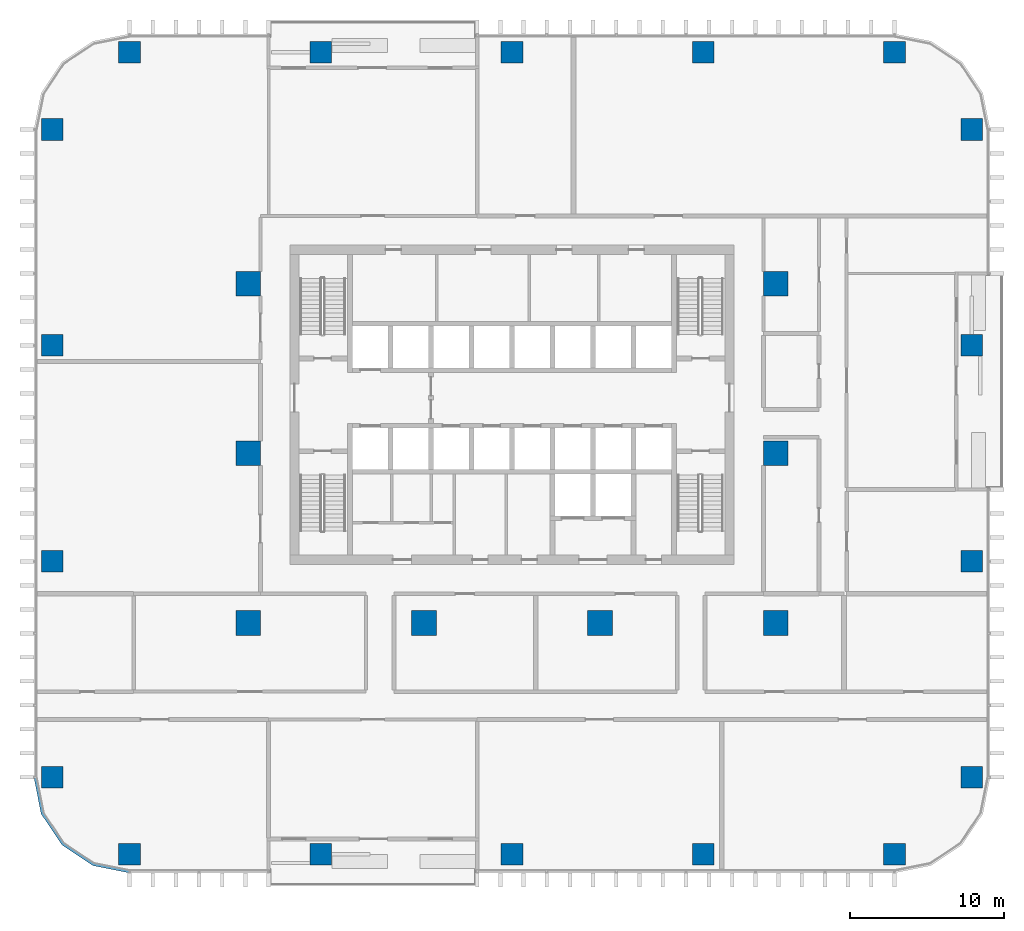
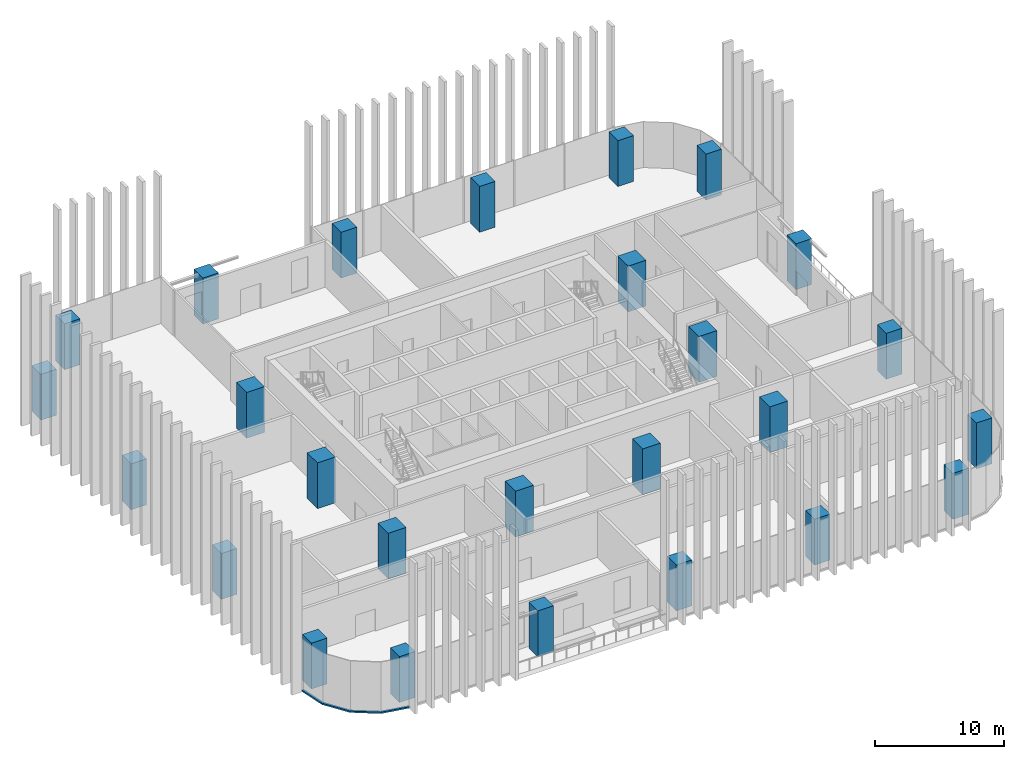
# One storey, part 1 of 17: 26 columns, 1 member, 1 element without a shape of its own.
"""IFC4 building model written with IfcOpenShell, lengths in metres."""

from ifc_helpers import new_model, si_unit, direction, frame, origin, origin_2d, place, context, subcontext, project, spatial, polyline, rectangle, outline, extrude, material, material_profile, profile_set, type_object, element, aggregate, save


model = new_model("IFC4")

# Units and contexts
model_context = context("Model", 3, precision=1e-05, world=origin(), true_north=direction((0.0, 1.0)))
body_context = subcontext(model_context, "Body", "Model", "MODEL_VIEW")
ifc_project = project(units=[si_unit("LENGTHUNIT", "METRE"), si_unit("AREAUNIT", "SQUARE_METRE"), si_unit("VOLUMEUNIT", "CUBIC_METRE"), si_unit("PLANEANGLEUNIT", "RADIAN"), si_unit("MASSUNIT", "GRAM", prefix="KILO")], contexts=[model_context])

# Site, building, storey
site_placement = place(None, origin())
site = spatial("IfcSite", under=ifc_project, at=site_placement, CompositionType="ELEMENT")
building_placement = place(site_placement, origin())
building = spatial("IfcBuilding", under=site, at=building_placement, Name="Mopane Tessera Tower", CompositionType="ELEMENT")
storey_placement = place(building_placement, frame((0.0, 0.0, 74.199951171875)))
storey = spatial("IfcBuildingStorey", under=building, at=storey_placement, Name="L14", CompositionType="ELEMENT", Elevation=74.199951171875)

# Columns
ifc_material_1 = material(Name="Concrete C60/75", Category="concrete")
ifc_material_profile_1 = material_profile(ifc_material_1, rectangle(XDim=1.60009765625, YDim=1.60009765625, at=origin_2d()))
ifc_profile_set_1 = profile_set([ifc_material_profile_1], Name="Concrete C60/75")
column_type_1 = type_object("IfcColumnType", Name="Interior column 1600 x 1600 C60/75", PredefinedType="COLUMN", material=ifc_profile_set_1)
for number, where, z_axis, x_axis, name in (
    (1, (-17.10009765625, -11.0, 0.0), (0.0, 0.0, 1.0), (1.0, 0.0, 0.0), "Interior column I1A L14"),
    (2, (-17.10009765625, 0.0, 0.0), (0.0, 0.0, 1.0), (1.0, 0.0, 0.0), "Interior column I1B L14"),
    (3, (-17.10009765625, 11.0, 0.0), (0.0, 0.0, 1.0), (1.0, 0.0, 0.0), "Interior column I1C L14"),
    (4, (-5.699951171875, -11.0, 0.0), (0.0, 0.0, 1.0), (1.0, 0.0, 0.0), "Interior column I2A L14"),
    (5, (5.699951171875, -11.0, 0.0), (0.0, 0.0, 1.0), (1.0, 0.0, 0.0), "Interior column I3A L14"),
    (6, (17.10009765625, -11.0, 0.0), (0.0, 0.0, 1.0), (1.0, 0.0, 0.0), "Interior column I4A L14"),
    (7, (17.10009765625, 0.0, 0.0), (0.0, 0.0, 1.0), (1.0, 0.0, 0.0), "Interior column I4B L14"),
    (8, (17.10009765625, 11.0, 0.0), (0.0, 0.0, 1.0), (1.0, 0.0, 0.0), "Interior column I4C L14"),
):
    element("IfcColumn", number, at=place(storey_placement, frame(where, z_axis=z_axis, x_axis=x_axis)), inside=storey, type_object=column_type_1, Name=name, PredefinedType="COLUMN", context=body_context, shape_type="SweptSolid", body=[
        extrude(rectangle(XDim=1.60009765625, YDim=1.60009765625, at=origin_2d()), origin(), (0.0, 0.0, 1.0), 4.35009765625),
    ])
ifc_material_2 = material(Name="Concrete C60/75", Category="concrete")
ifc_material_profile_2 = material_profile(ifc_material_2, rectangle(XDim=1.39990234375, YDim=1.39990234375, at=origin_2d()))
ifc_profile_set_2 = profile_set([ifc_material_profile_2], Name="Concrete C60/75")
column_type_2 = type_object("IfcColumnType", Name="Ring column 1400 x 1400 C60/75", PredefinedType="COLUMN", material=ifc_profile_set_2)
for number, where, z_axis, x_axis, name in (
    (9, (-24.800048828125, -26.0, 0.0), (0.0, 0.0, 1.0), (1.0, 0.0, 0.0), "Ring column S0 L14"),
    (10, (-12.39990234375, -26.0, 0.0), (0.0, 0.0, 1.0), (1.0, 0.0, 0.0), "Ring column S1 L14"),
    (11, (0.0, -26.0, 0.0), (0.0, 0.0, 1.0), (1.0, 0.0, 0.0), "Ring column S2 L14"),
    (12, (12.39990234375, -26.0, 0.0), (0.0, 0.0, 1.0), (1.0, 0.0, 0.0), "Ring column S3 L14"),
    (13, (24.800048828125, -26.0, 0.0), (0.0, 0.0, 1.0), (1.0, 0.0, 0.0), "Ring column S4 L14"),
    (14, (29.800048828125, -21.0, 0.0), (0.0, 0.0, 1.0), (1.0, 0.0, 0.0), "Ring column E0 L14"),
    (15, (29.800048828125, -7.0, 0.0), (0.0, 0.0, 1.0), (1.0, 0.0, 0.0), "Ring column E1 L14"),
    (16, (29.800048828125, 7.0, 0.0), (0.0, 0.0, 1.0), (1.0, 0.0, 0.0), "Ring column E2 L14"),
    (17, (29.800048828125, 21.0, 0.0), (0.0, 0.0, 1.0), (1.0, 0.0, 0.0), "Ring column E3 L14"),
    (18, (24.800048828125, 26.0, 0.0), (0.0, 0.0, 1.0), (1.0, 0.0, 0.0), "Ring column N0 L14"),
    (19, (12.39990234375, 26.0, 0.0), (0.0, 0.0, 1.0), (1.0, 0.0, 0.0), "Ring column N1 L14"),
    (20, (0.0, 26.0, 0.0), (0.0, 0.0, 1.0), (1.0, 0.0, 0.0), "Ring column N2 L14"),
    (21, (-12.39990234375, 26.0, 0.0), (0.0, 0.0, 1.0), (1.0, 0.0, 0.0), "Ring column N3 L14"),
    (22, (-24.800048828125, 26.0, 0.0), (0.0, 0.0, 1.0), (1.0, 0.0, 0.0), "Ring column N4 L14"),
    (23, (-29.800048828125, 21.0, 0.0), (0.0, 0.0, 1.0), (1.0, 0.0, 0.0), "Ring column W0 L14"),
    (24, (-29.800048828125, 7.0, 0.0), (0.0, 0.0, 1.0), (1.0, 0.0, 0.0), "Ring column W1 L14"),
    (25, (-29.800048828125, -7.0, 0.0), (0.0, 0.0, 1.0), (1.0, 0.0, 0.0), "Ring column W2 L14"),
    (26, (-29.800048828125, -21.0, 0.0), (0.0, 0.0, 1.0), (1.0, 0.0, 0.0), "Ring column W3 L14"),
):
    element("IfcColumn", number, at=place(storey_placement, frame(where, z_axis=z_axis, x_axis=x_axis)), inside=storey, type_object=column_type_2, Name=name, PredefinedType="COLUMN", context=body_context, shape_type="SweptSolid", body=[
        extrude(rectangle(XDim=1.39990234375, YDim=1.39990234375, at=origin_2d()), origin(), (0.0, 0.0, 1.0), 4.35009765625),
    ])

# Curtain wall, member
ifc_material_3 = material(Name="Aluminium frame", Category="aluminium")
curtain_wall_type = type_object("IfcCurtainWallType", Name="Lower tower unitised wall", PredefinedType="NOTDEFINED", material=ifc_material_3)
curtain_wall_placement = place(storey_placement, origin())
curtain_wall = element("IfcCurtainWall", 27, at=curtain_wall_placement, inside=storey, type_object=curtain_wall_type, Name="e:cw:L14:CW", PredefinedType="NOTDEFINED")
ifc_material_4 = material(Name="Aluminium frame", Category="aluminium")
ifc_material_profile_3 = material_profile(ifc_material_4, rectangle(XDim=0.199951171875, YDim=0.139892578125, at=origin_2d()))
ifc_profile_set_3 = profile_set([ifc_material_profile_3], Name="Aluminium frame")
member_type = type_object("IfcMemberType", Name="Aluminium transom 200 x 140", PredefinedType="USERDEFINED", material=ifc_profile_set_3)
member_placement = place(storey_placement, frame((0.0, 0.0, -0.449951171875)))
member = element("IfcMember", 28, at=member_placement, type_object=member_type, Name="e:cw:L14:CW:tr", ObjectType="TRANSOM", PredefinedType="USERDEFINED", context=body_context, shape_type="SweptSolid", body=[
    extrude(outline(polyline([(-30.800048828125, -21.0), (-30.34326171875, -23.296142578125), (-29.042724609375, -25.24267578125), (-27.09619140625, -26.543212890625), (-24.800048828125, -27.0), (-24.800048828125, -27.199951171875), (-27.172607421875, -26.72802734375), (-29.18408203125, -25.384033203125), (-30.528076171875, -23.37255859375), (-31.0, -21.0), (-30.800048828125, -21.0)])), origin(), (0.0, 0.0, 1.0), 0.139892578125),
])
aggregate(curtain_wall, [member])

save(model, "model.ifc")
